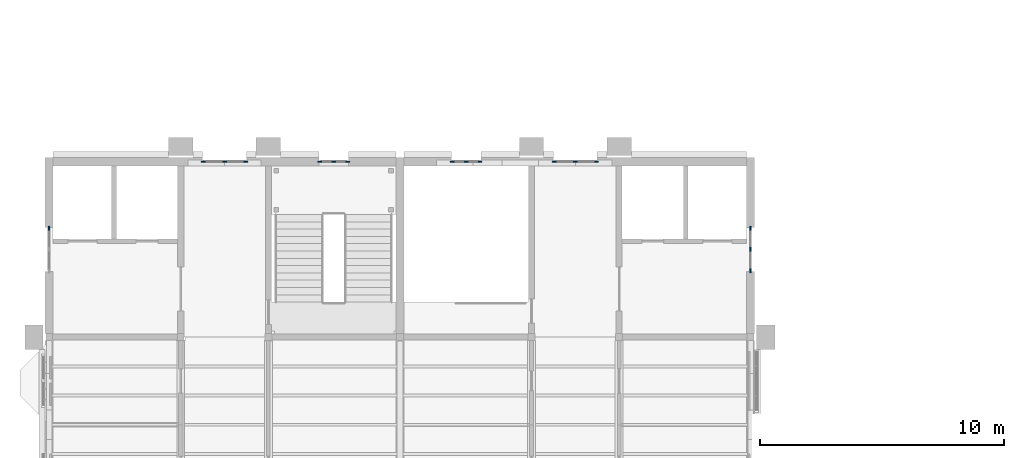
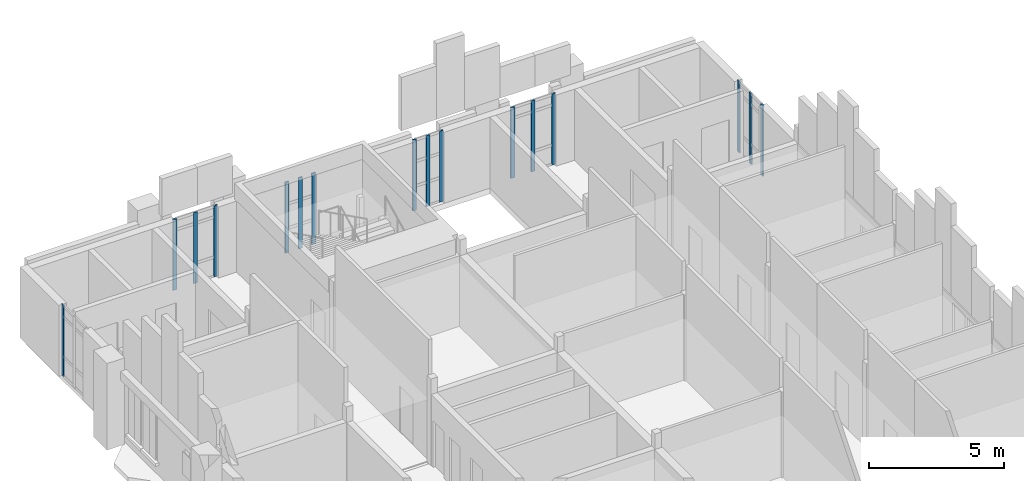
# One storey, part 5 of 51: 16 members, 6 elements without a shape of their own.
"""IFC4 building model written with IfcOpenShell, lengths in metres."""

from ifc_helpers import new_model, si_unit, direction, frame, origin, origin_2d, place, context, subcontext, project, spatial, rectangle, extrude, material, layer, layer_set, material_profile, profile_set, type_object, element, aggregate, save


model = new_model("IFC4")

# Units and contexts
model_context = context("Model", 3, precision=1e-05, world=origin(), true_north=direction((0.0, 1.0)))
body_context = subcontext(model_context, "Body", "Model", "MODEL_VIEW")
ifc_project = project(units=[si_unit("LENGTHUNIT", "METRE"), si_unit("AREAUNIT", "SQUARE_METRE"), si_unit("VOLUMEUNIT", "CUBIC_METRE"), si_unit("PLANEANGLEUNIT", "RADIAN"), si_unit("MASSUNIT", "GRAM", prefix="KILO")], contexts=[model_context])

# Site, building, storey
site_placement = place(None, origin())
site = spatial("IfcSite", under=ifc_project, at=site_placement, CompositionType="ELEMENT")
building_placement = place(site_placement, origin())
building = spatial("IfcBuilding", under=site, at=building_placement, Name="Mazhai Court Health Centre", CompositionType="ELEMENT")
storey_placement = place(building_placement, frame((0.0, 0.0, 14.10009765625)))
storey = spatial("IfcBuildingStorey", under=building, at=storey_placement, Name="L03", CompositionType="ELEMENT", Elevation=14.10009765625)

# Curtain wall, member
ifc_material_1 = material(Name="Teak timber frame, glazed", Category="wood")
ifc_layer_1 = layer(ifc_material_1, 0.10009765625)
ifc_layer_set_1 = layer_set([ifc_layer_1], Name="CURTAIN WALL TIMBER 900")
curtain_wall_type_1 = type_object("IfcCurtainWallType", Name="CURTAIN WALL TIMBER 900", PredefinedType="NOTDEFINED", material=ifc_layer_set_1)
curtain_wall_1_placement = place(storey_placement, origin())
curtain_wall_1 = element("IfcCurtainWall", 1, at=curtain_wall_1_placement, inside=storey, type_object=curtain_wall_type_1, Name="CW-V2-L03-A4", PredefinedType="NOTDEFINED")
ifc_material_2 = material(Name="Teak timber", Category="wood")
ifc_material_profile = material_profile(ifc_material_2, rectangle(XDim=0.06005859375, YDim=0.159912109375, at=origin_2d()), Name="CW MULLION 60x160")
ifc_profile_set = profile_set([ifc_material_profile], Name="Teak timber")
member_type = type_object("IfcMemberType", Name="CW MULLION 60x160", PredefinedType="MULLION", material=ifc_profile_set)
member_1_placement = place(storey_placement, frame((6.199951171875, 39.469970703125, 0.0), z_axis=(0.0, 0.0, 1.0), x_axis=(-1.0, 0.0, 0.0)))
member_1 = element("IfcMember", 2, at=member_1_placement, type_object=member_type, Name="CW mullion 3", PredefinedType="MULLION", context=body_context, shape_type="SweptSolid", body=[
    extrude(rectangle(XDim=0.06005859375, YDim=0.159912109375, at=origin_2d()), origin(), (0.0, 0.0, 1.0), 3.199951171875),
])
aggregate(curtain_wall_1, [member_1])

# Curtain wall, members
curtain_wall_2_placement = place(storey_placement, origin())
curtain_wall_2 = element("IfcCurtainWall", 3, at=curtain_wall_2_placement, inside=storey, type_object=curtain_wall_type_1, Name="CW-V2-L03-ELIFT0", PredefinedType="NOTDEFINED")
member_2_placement = place(storey_placement, frame((12.530029296875, 42.199951171875, 0.0), z_axis=(0.0, 0.0, 1.0), x_axis=(0.0, 1.0, 0.0)))
member_2 = element("IfcMember", 4, at=member_2_placement, type_object=member_type, Name="CW mullion 1", PredefinedType="MULLION", context=body_context, shape_type="SweptSolid", body=[
    extrude(rectangle(XDim=0.06005859375, YDim=0.159912109375, at=origin_2d()), origin(), (0.0, 0.0, 1.0), 3.199951171875),
])
member_3_placement = place(storey_placement, frame((13.39990234375, 42.199951171875, 0.0), z_axis=(0.0, 0.0, 1.0), x_axis=(0.0, 1.0, 0.0)))
member_3 = element("IfcMember", 5, at=member_3_placement, type_object=member_type, Name="CW mullion 2", PredefinedType="MULLION", context=body_context, shape_type="SweptSolid", body=[
    extrude(rectangle(XDim=0.06005859375, YDim=0.159912109375, at=origin_2d()), origin(), (0.0, 0.0, 1.0), 3.199951171875),
])
member_4_placement = place(storey_placement, frame((14.27001953125, 42.199951171875, 0.0), z_axis=(0.0, 0.0, 1.0), x_axis=(0.0, 1.0, 0.0)))
member_4 = element("IfcMember", 6, at=member_4_placement, type_object=member_type, Name="CW mullion 3", PredefinedType="MULLION", context=body_context, shape_type="SweptSolid", body=[
    extrude(rectangle(XDim=0.06005859375, YDim=0.159912109375, at=origin_2d()), origin(), (0.0, 0.0, 1.0), 3.199951171875),
])
aggregate(curtain_wall_2, [member_2, member_3, member_4])

ifc_material_3 = material(Name="Teak timber frame, glazed", Category="wood")
ifc_layer_2 = layer(ifc_material_3, 0.10009765625)
ifc_layer_set_2 = layer_set([ifc_layer_2], Name="CURTAIN WALL TIMBER 600")
curtain_wall_type_2 = type_object("IfcCurtainWallType", Name="CURTAIN WALL TIMBER 600", PredefinedType="NOTDEFINED", material=ifc_layer_set_2)
curtain_wall_3_placement = place(storey_placement, origin())
curtain_wall_3 = element("IfcCurtainWall", 7, at=curtain_wall_3_placement, inside=storey, type_object=curtain_wall_type_2, Name="CW-V2-L03-ESTAIR1", PredefinedType="NOTDEFINED")
member_5_placement = place(storey_placement, frame((17.31005859375, 42.199951171875, 0.0), z_axis=(0.0, 0.0, 1.0), x_axis=(0.0, 1.0, 0.0)))
member_5 = element("IfcMember", 8, at=member_5_placement, type_object=member_type, Name="CW mullion 1", PredefinedType="MULLION", context=body_context, shape_type="SweptSolid", body=[
    extrude(rectangle(XDim=0.06005859375, YDim=0.159912109375, at=origin_2d()), origin(), (0.0, 0.0, 1.0), 3.199951171875),
])
member_6_placement = place(storey_placement, frame((17.8798828125, 42.199951171875, 0.0), z_axis=(0.0, 0.0, 1.0), x_axis=(0.0, 1.0, 0.0)))
member_6 = element("IfcMember", 9, at=member_6_placement, type_object=member_type, Name="CW mullion 2", PredefinedType="MULLION", context=body_context, shape_type="SweptSolid", body=[
    extrude(rectangle(XDim=0.06005859375, YDim=0.159912109375, at=origin_2d()), origin(), (0.0, 0.0, 1.0), 3.199951171875),
])
member_7_placement = place(storey_placement, frame((18.449951171875, 42.199951171875, 0.0), z_axis=(0.0, 0.0, 1.0), x_axis=(0.0, 1.0, 0.0)))
member_7 = element("IfcMember", 10, at=member_7_placement, type_object=member_type, Name="CW mullion 3", PredefinedType="MULLION", context=body_context, shape_type="SweptSolid", body=[
    extrude(rectangle(XDim=0.06005859375, YDim=0.159912109375, at=origin_2d()), origin(), (0.0, 0.0, 1.0), 3.199951171875),
])
aggregate(curtain_wall_3, [member_5, member_6, member_7])

curtain_wall_4_placement = place(storey_placement, origin())
curtain_wall_4 = element("IfcCurtainWall", 11, at=curtain_wall_4_placement, inside=storey, type_object=curtain_wall_type_1, Name="CW-V5-L03-B4", PredefinedType="NOTDEFINED")
member_8_placement = place(storey_placement, frame((35.0, 39.469970703125, 0.0), z_axis=(0.0, 0.0, 1.0), x_axis=(1.0, 0.0, 0.0)))
member_8 = element("IfcMember", 12, at=member_8_placement, type_object=member_type, Name="CW mullion 1", PredefinedType="MULLION", context=body_context, shape_type="SweptSolid", body=[
    extrude(rectangle(XDim=0.06005859375, YDim=0.159912109375, at=origin_2d()), origin(), (0.0, 0.0, 1.0), 3.199951171875),
])
member_9_placement = place(storey_placement, frame((35.0, 38.60009765625, 0.0), z_axis=(0.0, 0.0, 1.0), x_axis=(1.0, 0.0, 0.0)))
member_9 = element("IfcMember", 13, at=member_9_placement, type_object=member_type, Name="CW mullion 2", PredefinedType="MULLION", context=body_context, shape_type="SweptSolid", body=[
    extrude(rectangle(XDim=0.06005859375, YDim=0.159912109375, at=origin_2d()), origin(), (0.0, 0.0, 1.0), 3.199951171875),
])
member_10_placement = place(storey_placement, frame((35.0, 37.72998046875, 0.0), z_axis=(0.0, 0.0, 1.0), x_axis=(1.0, 0.0, 0.0)))
member_10 = element("IfcMember", 14, at=member_10_placement, type_object=member_type, Name="CW mullion 3", PredefinedType="MULLION", context=body_context, shape_type="SweptSolid", body=[
    extrude(rectangle(XDim=0.06005859375, YDim=0.159912109375, at=origin_2d()), origin(), (0.0, 0.0, 1.0), 3.199951171875),
])
aggregate(curtain_wall_4, [member_8, member_9, member_10])

curtain_wall_5_placement = place(storey_placement, origin())
curtain_wall_5 = element("IfcCurtainWall", 15, at=curtain_wall_5_placement, inside=storey, type_object=curtain_wall_type_2, Name="CW-V5-L03-ESTAIR0", PredefinedType="NOTDEFINED")
member_11_placement = place(storey_placement, frame((22.75, 42.199951171875, 0.0), z_axis=(0.0, 0.0, 1.0), x_axis=(0.0, 1.0, 0.0)))
member_11 = element("IfcMember", 16, at=member_11_placement, type_object=member_type, Name="CW mullion 1", PredefinedType="MULLION", context=body_context, shape_type="SweptSolid", body=[
    extrude(rectangle(XDim=0.06005859375, YDim=0.159912109375, at=origin_2d()), origin(), (0.0, 0.0, 1.0), 3.199951171875),
])
member_12_placement = place(storey_placement, frame((23.320068359375, 42.199951171875, 0.0), z_axis=(0.0, 0.0, 1.0), x_axis=(0.0, 1.0, 0.0)))
member_12 = element("IfcMember", 17, at=member_12_placement, type_object=member_type, Name="CW mullion 2", PredefinedType="MULLION", context=body_context, shape_type="SweptSolid", body=[
    extrude(rectangle(XDim=0.06005859375, YDim=0.159912109375, at=origin_2d()), origin(), (0.0, 0.0, 1.0), 3.199951171875),
])
member_13_placement = place(storey_placement, frame((23.889892578125, 42.199951171875, 0.0), z_axis=(0.0, 0.0, 1.0), x_axis=(0.0, 1.0, 0.0)))
member_13 = element("IfcMember", 18, at=member_13_placement, type_object=member_type, Name="CW mullion 3", PredefinedType="MULLION", context=body_context, shape_type="SweptSolid", body=[
    extrude(rectangle(XDim=0.06005859375, YDim=0.159912109375, at=origin_2d()), origin(), (0.0, 0.0, 1.0), 3.199951171875),
])
aggregate(curtain_wall_5, [member_11, member_12, member_13])

curtain_wall_6_placement = place(storey_placement, origin())
curtain_wall_6 = element("IfcCurtainWall", 19, at=curtain_wall_6_placement, inside=storey, type_object=curtain_wall_type_1, Name="CW-V5-L03-ELIFT1", PredefinedType="NOTDEFINED")
member_14_placement = place(storey_placement, frame((26.929931640625, 42.199951171875, 0.0), z_axis=(0.0, 0.0, 1.0), x_axis=(0.0, 1.0, 0.0)))
member_14 = element("IfcMember", 20, at=member_14_placement, type_object=member_type, Name="CW mullion 1", PredefinedType="MULLION", context=body_context, shape_type="SweptSolid", body=[
    extrude(rectangle(XDim=0.06005859375, YDim=0.159912109375, at=origin_2d()), origin(), (0.0, 0.0, 1.0), 3.199951171875),
])
member_15_placement = place(storey_placement, frame((27.800048828125, 42.199951171875, 0.0), z_axis=(0.0, 0.0, 1.0), x_axis=(0.0, 1.0, 0.0)))
member_15 = element("IfcMember", 21, at=member_15_placement, type_object=member_type, Name="CW mullion 2", PredefinedType="MULLION", context=body_context, shape_type="SweptSolid", body=[
    extrude(rectangle(XDim=0.06005859375, YDim=0.159912109375, at=origin_2d()), origin(), (0.0, 0.0, 1.0), 3.199951171875),
])
member_16_placement = place(storey_placement, frame((28.669921875, 42.199951171875, 0.0), z_axis=(0.0, 0.0, 1.0), x_axis=(0.0, 1.0, 0.0)))
member_16 = element("IfcMember", 22, at=member_16_placement, type_object=member_type, Name="CW mullion 3", PredefinedType="MULLION", context=body_context, shape_type="SweptSolid", body=[
    extrude(rectangle(XDim=0.06005859375, YDim=0.159912109375, at=origin_2d()), origin(), (0.0, 0.0, 1.0), 3.199951171875),
])
aggregate(curtain_wall_6, [member_14, member_15, member_16])

save(model, "model.ifc")
